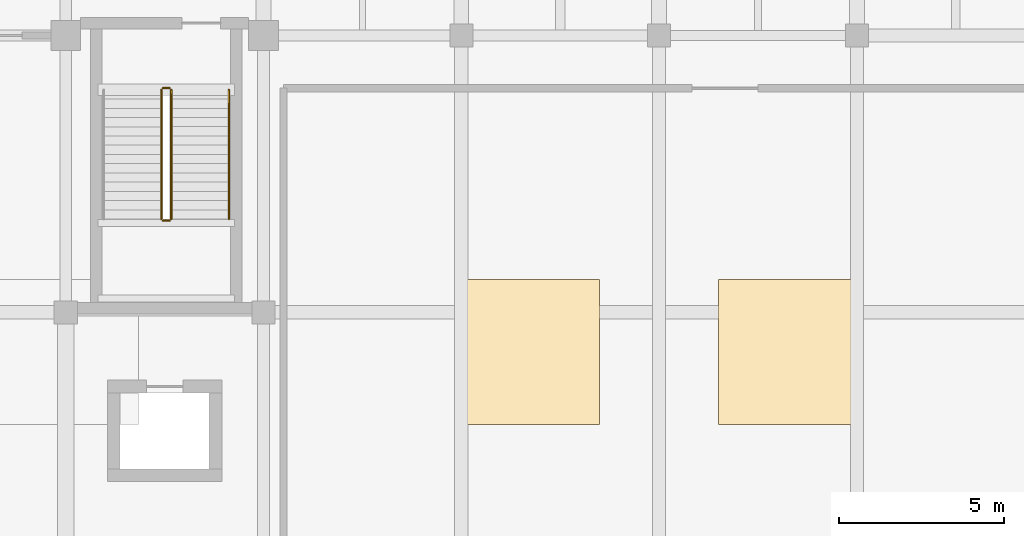
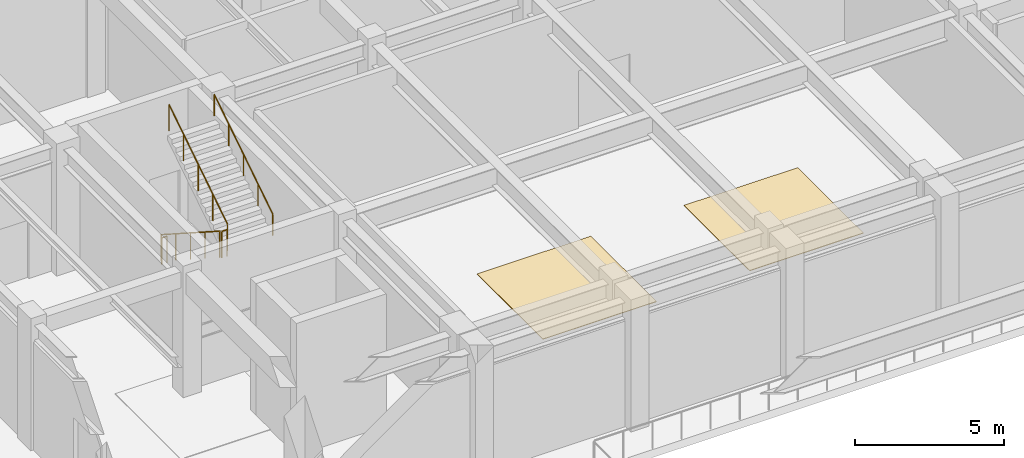
# One storey, part 89 of 91: 5 railings, 2 coverings.
"""IFC4 building model written with IfcOpenShell, lengths in metres."""

from ifc_helpers import new_model, si_unit, direction, frame, origin, origin_2d, place, context, subcontext, project, spatial, polyline, circle, outline, extrude, material, layer, layer_set, type_object, element, save


model = new_model("IFC4")

# Units and contexts
model_context = context("Model", 3, precision=1e-05, world=origin(), true_north=direction((0.0, 1.0)))
body_context = subcontext(model_context, "Body", "Model", "MODEL_VIEW")
ifc_project = project(units=[si_unit("LENGTHUNIT", "METRE"), si_unit("AREAUNIT", "SQUARE_METRE"), si_unit("VOLUMEUNIT", "CUBIC_METRE"), si_unit("PLANEANGLEUNIT", "RADIAN"), si_unit("MASSUNIT", "GRAM", prefix="KILO")], contexts=[model_context])

# Site, building, storey
site_placement = place(None, origin())
site = spatial("IfcSite", under=ifc_project, at=site_placement, CompositionType="ELEMENT")
building_placement = place(site_placement, origin())
building = spatial("IfcBuilding", under=site, at=building_placement, Name="Vaelkrest Opera House", CompositionType="ELEMENT")
storey_placement = place(building_placement, origin())
storey = spatial("IfcBuildingStorey", under=building, at=storey_placement, Name="L00", CompositionType="ELEMENT", Elevation=0.0)

# Coverings
ifc_material_1 = material(Name="Douglas fir glulam GL28h", Category="wood")
ifc_layer = layer(ifc_material_1, 0.02490234375)
ifc_layer_set = layer_set([ifc_layer], Name="Douglas fir glulam GL28h")
covering_type = type_object("IfcCoveringType", Name="COV-FLR01", PredefinedType="FLOORING", material=ifc_layer_set)
covering_1_placement = place(storey_placement, origin())
element("IfcCovering", 1, at=covering_1_placement, inside=storey, type_object=covering_type, Name="Sprung Douglas fir stage flooring 01", PredefinedType="FLOORING", context=body_context, shape_type="SweptSolid", body=[
    extrude(outline(polyline([(-6.199951171875, 21.800048828125), (-1.800048828125, 21.800048828125), (-1.800048828125, 26.199951171875), (-6.199951171875, 26.199951171875), (-6.199951171875, 21.800048828125)])), origin(), (0.0, 0.0, 1.0), 0.02490234375),
])
covering_2_placement = place(storey_placement, origin())
element("IfcCovering", 2, at=covering_2_placement, inside=storey, type_object=covering_type, Name="Sprung Douglas fir stage flooring 02", PredefinedType="FLOORING", context=body_context, shape_type="SweptSolid", body=[
    extrude(outline(polyline([(1.800048828125, 21.800048828125), (6.199951171875, 21.800048828125), (6.199951171875, 26.199951171875), (1.800048828125, 26.199951171875), (1.800048828125, 21.800048828125)])), origin(), (0.0, 0.0, 1.0), 0.02490234375),
])

# Railings
ifc_material_2 = material(Name="Dark bronze anodized aluminium", Category="aluminium")
railing_type_1 = type_object("IfcRailingType", Name="GR02", PredefinedType="GUARDRAIL", material=ifc_material_2)
railing_1_placement = place(storey_placement, frame((-15.10009765625, 31.949951171875, 0.179931640625)))
element("IfcRailing", 3, at=railing_1_placement, inside=storey, type_object=railing_type_1, Name="L00 ST05 stair guard 1", PredefinedType="GUARDRAIL", context=body_context, shape_type="SweptSolid", body=[
    extrude(circle(Radius=0.02392578125, at=origin_2d()), frame((0.0, 0.0, 1.076171875), z_axis=(0.0, -0.841171666519, 0.540768182723), x_axis=(1.0, 0.0, 0.0)), (0.0, 0.0, 1.0), 4.66015625),
    extrude(circle(Radius=0.02099609375, at=origin_2d()), origin(), (0.0, 0.0, 1.0), 1.052001953125),
    extrude(circle(Radius=0.02099609375, at=origin_2d()), frame((0.0, -0.97998046875, 0.6298828125)), (0.0, 0.0, 1.0), 1.052001953125),
    extrude(circle(Radius=0.02099609375, at=origin_2d()), frame((0.0, -1.9599609375, 1.260009765625)), (0.0, 0.0, 1.0), 1.052001953125),
    extrude(circle(Radius=0.02099609375, at=origin_2d()), frame((0.0, -2.93994140625, 1.89013671875)), (0.0, 0.0, 1.0), 1.052001953125),
    extrude(circle(Radius=0.02099609375, at=origin_2d()), frame((0.0, -3.919921875, 2.52001953125)), (0.0, 0.0, 1.0), 1.052001953125),
])
railing_2_placement = place(storey_placement, frame((-15.050048828125, 27.97998046875, 2.699951171875)))
element("IfcRailing", 4, at=railing_2_placement, inside=storey, type_object=railing_type_1, Name="L00 ST05 stair guard 2", PredefinedType="GUARDRAIL", context=body_context, shape_type="SweptSolid", body=[
    extrude(circle(Radius=0.02392578125, at=origin_2d()), frame((0.0, 0.0, 1.076171875), z_axis=(1.0, 0.0, 0.0), x_axis=(0.0, 1.0, 0.0)), (0.0, 0.0, 1.0), 0.199951171875),
    extrude(circle(Radius=0.02099609375, at=origin_2d()), origin(), (0.0, 0.0, 1.0), 1.052001953125),
    extrude(circle(Radius=0.02099609375, at=origin_2d()), frame((0.199951171875, 0.0, 0.0)), (0.0, 0.0, 1.0), 1.052001953125),
])
railing_3_placement = place(storey_placement, frame((-14.800048828125, 28.030029296875, 2.8798828125)))
element("IfcRailing", 5, at=railing_3_placement, inside=storey, type_object=railing_type_1, Name="L00 ST05 stair guard 3", PredefinedType="GUARDRAIL", context=body_context, shape_type="SweptSolid", body=[
    extrude(circle(Radius=0.02392578125, at=origin_2d()), frame((0.0, 0.0, 1.076171875), z_axis=(0.0, 0.841171666519, 0.540768182723), x_axis=(-1.0, 0.0, 0.0)), (0.0, 0.0, 1.0), 4.66015625),
    extrude(circle(Radius=0.02099609375, at=origin_2d()), origin(), (0.0, 0.0, 1.0), 1.052001953125),
    extrude(circle(Radius=0.02099609375, at=origin_2d()), frame((0.0, 0.97998046875, 0.6298828125)), (0.0, 0.0, 1.0), 1.052001953125),
    extrude(circle(Radius=0.02099609375, at=origin_2d()), frame((0.0, 1.9599609375, 1.260009765625)), (0.0, 0.0, 1.0), 1.052001953125),
    extrude(circle(Radius=0.02099609375, at=origin_2d()), frame((0.0, 2.93994140625, 1.89013671875)), (0.0, 0.0, 1.0), 1.052001953125),
    extrude(circle(Radius=0.02099609375, at=origin_2d()), frame((0.0, 3.919921875, 2.52001953125)), (0.0, 0.0, 1.0), 1.052001953125),
])
railing_4_placement = place(storey_placement, frame((-15.050048828125, 32.0, 0.0)))
element("IfcRailing", 6, at=railing_4_placement, inside=storey, type_object=railing_type_1, Name="L00 ST05 stair guard 4", PredefinedType="GUARDRAIL", context=body_context, shape_type="SweptSolid", body=[
    extrude(circle(Radius=0.02392578125, at=origin_2d()), frame((0.0, 0.0, 1.076171875), z_axis=(1.0, 0.0, 0.0), x_axis=(0.0, 1.0, 0.0)), (0.0, 0.0, 1.0), 0.199951171875),
    extrude(circle(Radius=0.02099609375, at=origin_2d()), origin(), (0.0, 0.0, 1.0), 1.052001953125),
    extrude(circle(Radius=0.02099609375, at=origin_2d()), frame((0.199951171875, 0.0, 0.0)), (0.0, 0.0, 1.0), 1.052001953125),
])
railing_type_2 = type_object("IfcRailingType", Name="HR02", PredefinedType="HANDRAIL", material=ifc_material_2)
railing_5_placement = place(storey_placement, frame((-13.050048828125, 28.030029296875, 2.8798828125)))
element("IfcRailing", 7, at=railing_5_placement, inside=storey, type_object=railing_type_2, Name="L00 ST05 stair handrail 2", PredefinedType="HANDRAIL", context=body_context, shape_type="SweptSolid", body=[
    extrude(circle(Radius=0.02392578125, at=origin_2d()), frame((0.0, 0.0, 0.8759765625), z_axis=(0.0, 0.841171666519, 0.540768182723), x_axis=(-1.0, 0.0, 0.0)), (0.0, 0.0, 1.0), 4.66015625),
    extrude(circle(Radius=0.02099609375, at=origin_2d()), origin(), (0.0, 0.0, 1.0), 0.851806640625),
    extrude(circle(Radius=0.02099609375, at=origin_2d()), frame((0.0, 0.97998046875, 0.6298828125)), (0.0, 0.0, 1.0), 0.851806640625),
    extrude(circle(Radius=0.02099609375, at=origin_2d()), frame((0.0, 1.9599609375, 1.260009765625)), (0.0, 0.0, 1.0), 0.851806640625),
    extrude(circle(Radius=0.02099609375, at=origin_2d()), frame((0.0, 2.93994140625, 1.89013671875)), (0.0, 0.0, 1.0), 0.851806640625),
    extrude(circle(Radius=0.02099609375, at=origin_2d()), frame((0.0, 3.919921875, 2.52001953125)), (0.0, 0.0, 1.0), 0.851806640625),
])

save(model, "model.ifc")
